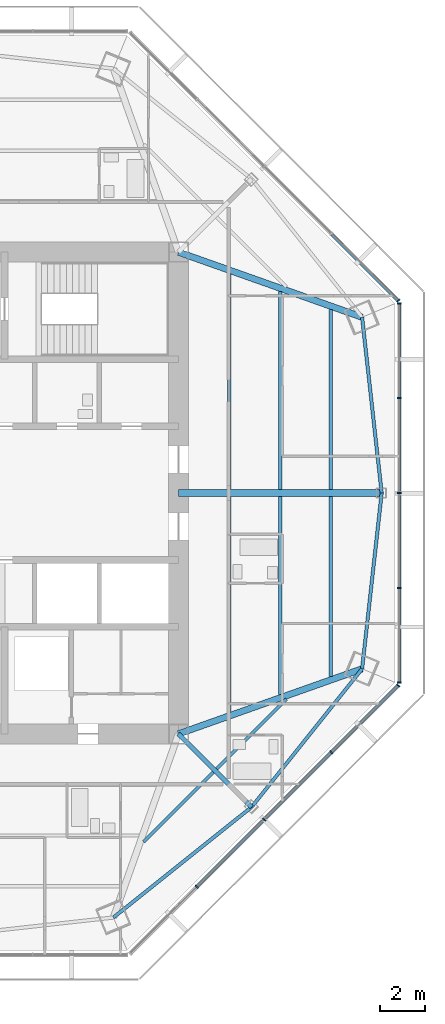
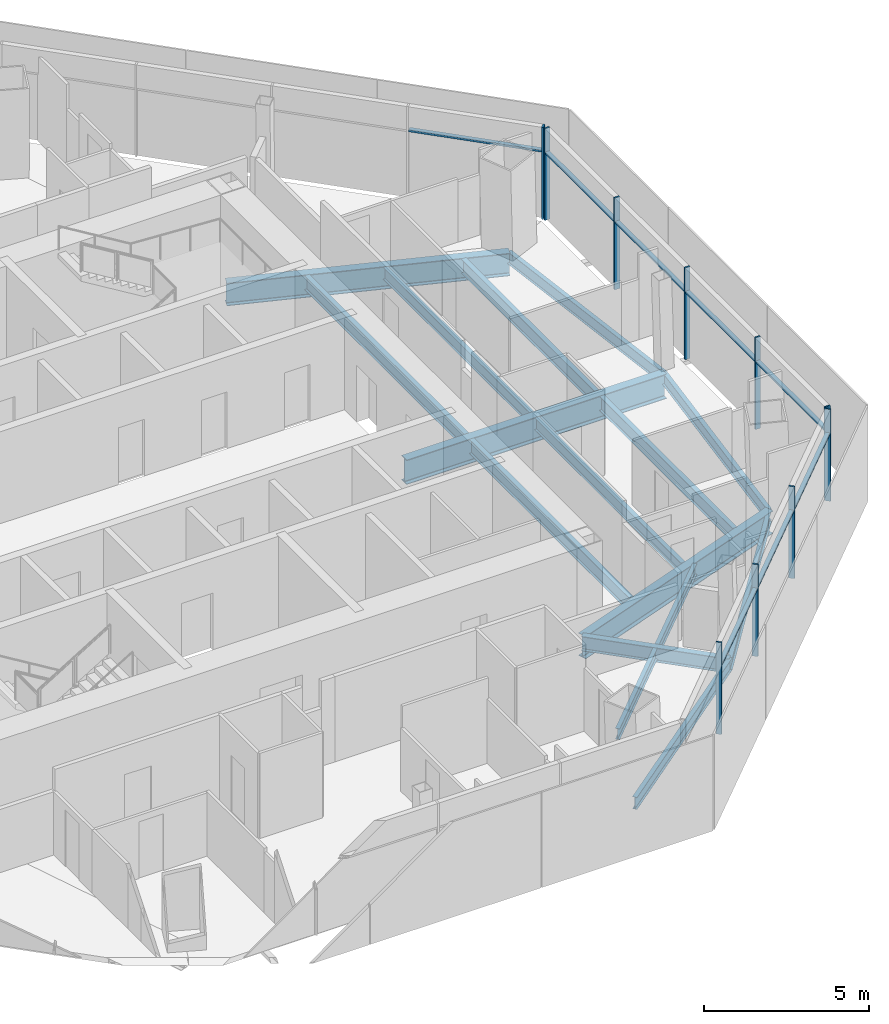
# One storey, part 4 of 15: 18 members, 16 beams, 3 elements without a shape of their own.
"""IFC4 building model written with IfcOpenShell, lengths in metres."""

from ifc_helpers import new_model, si_unit, direction, frame, origin, origin_2d, place, context, subcontext, project, spatial, rectangle, i_section, extrude, source, transform, mapped, material, material_profile, profile_set, type_object, type_shapes, element, aggregate, save


model = new_model("IFC4")

# Units and contexts
model_context = context("Model", 3, precision=1e-05, world=origin(), true_north=direction((0.0, 1.0)))
body_context = subcontext(model_context, "Body", "Model", "MODEL_VIEW")
ifc_project = project(units=[si_unit("LENGTHUNIT", "METRE"), si_unit("AREAUNIT", "SQUARE_METRE"), si_unit("VOLUMEUNIT", "CUBIC_METRE"), si_unit("PLANEANGLEUNIT", "RADIAN"), si_unit("MASSUNIT", "GRAM", prefix="KILO")], contexts=[model_context])

# Site, building, storey
site_placement = place(None, origin())
site = spatial("IfcSite", under=ifc_project, at=site_placement, CompositionType="ELEMENT")
building_placement = place(site_placement, origin())
building = spatial("IfcBuilding", under=site, at=building_placement, Name="Mashrafa Tower", CompositionType="ELEMENT")
storey_placement = place(building_placement, frame((0.0, 0.0, 258.39990234375)))
storey = spatial("IfcBuildingStorey", under=building, at=storey_placement, Name="L62", CompositionType="ELEMENT", Elevation=258.39990234375)

# Beams
ifc_material_1 = material(Name="Steel ASTM A992", Category="steel")
ifc_material_profile_1 = material_profile(ifc_material_1, i_section(OverallWidth=0.140380859375, OverallDepth=0.40380859375, WebThickness=0.007080078125, FlangeThickness=0.01123046875, FilletRadius=0.01025390625, at=origin_2d()), Name="W16X31")
ifc_profile_set_1 = profile_set([ifc_material_profile_1], Name="Steel ASTM A992")
beam_type_1 = type_object("IfcBeamType", Name="Beam W16X31", PredefinedType="BEAM", material=ifc_profile_set_1)
for number, where, z_axis, x_axis, name in (
    (1, (12.365478515625, -12.513427734375, -0.40185546875), (-0.707106781187, -0.707106781187, 0.0), (0.707106781187, -0.707106781187, 0.0), "Floor beam L62 024"),
    (2, (15.637939453125, -9.240966796875, -0.40185546875), (-0.707106781187, -0.707106781187, 0.0), (0.707106781187, -0.707106781187, 0.0), "Floor beam L62 030"),
):
    element("IfcBeam", number, at=place(storey_placement, frame(where, z_axis=z_axis, x_axis=x_axis)), inside=storey, type_object=beam_type_1, Name=name, PredefinedType="BEAM", context=body_context, shape_type="SweptSolid", body=[
        extrude(i_section(OverallWidth=0.140380859375, OverallDepth=0.40380859375, WebThickness=0.007080078125, FlangeThickness=0.01123046875, FilletRadius=0.01025390625, at=origin_2d()), origin(), (0.0, 0.0, 1.0), 4.418701171875),
    ])
ifc_material_2 = material(Name="Steel ASTM A992", Category="steel")
ifc_material_profile_2 = material_profile(ifc_material_2, i_section(OverallWidth=0.15234375, OverallDepth=0.449462890625, WebThickness=0.007568359375, FlangeThickness=0.0107421875, FilletRadius=0.01025390625, at=origin_2d()), Name="W18X35")
ifc_profile_set_2 = profile_set([ifc_material_profile_2], Name="Steel ASTM A992")
beam_type_2 = type_object("IfcBeamType", Name="Beam W18X35", PredefinedType="BEAM", material=ifc_profile_set_2)
for number, where, z_axis, x_axis, name in (
    (3, (15.355224609375, -0.15234375, -0.4248046875), (0.0, -1.0, 0.0), (1.0, 0.0, 0.0), "Floor beam L62 028"),
    (4, (15.355224609375, 9.03125, -0.4248046875), (0.0, -1.0, 0.0), (1.0, 0.0, 0.0), "Floor beam L62 029"),
):
    element("IfcBeam", number, at=place(storey_placement, frame(where, z_axis=z_axis, x_axis=x_axis)), inside=storey, type_object=beam_type_2, Name=name, PredefinedType="BEAM", context=body_context, shape_type="SweptSolid", body=[
        extrude(i_section(OverallWidth=0.15234375, OverallDepth=0.449462890625, WebThickness=0.007568359375, FlangeThickness=0.0107421875, FilletRadius=0.01025390625, at=origin_2d()), origin(), (0.0, 0.0, 1.0), 8.87890625),
    ])
for number, where, z_axis, x_axis, name in (
    (5, (7.883544921875, -19.032470703125, -0.4248046875), (0.781030932395, 0.624492339939, 0.0), (-0.624492339939, 0.781030932395, 0.0), "Spandrel beam L62 058"),
    (6, (14.078857421875, -14.078857421875, -0.4248046875), (0.624492339939, 0.781030932395, 0.0), (-0.781030932395, 0.624492339939, 0.0), "Spandrel beam L62 060"),
):
    element("IfcBeam", number, at=place(storey_placement, frame(where, z_axis=z_axis, x_axis=x_axis)), inside=storey, type_object=beam_type_2, Name=name, PredefinedType="BEAM", context=body_context, shape_type="SweptSolid", body=[
        extrude(i_section(OverallWidth=0.15234375, OverallDepth=0.449462890625, WebThickness=0.007568359375, FlangeThickness=0.0107421875, FilletRadius=0.01025390625, at=origin_2d()), origin(), (0.0, 0.0, 1.0), 7.93212890625),
    ])
for number, where, z_axis, x_axis, name in (
    (7, (19.032470703125, -7.883544921875, -0.4248046875), (0.110708523931, 0.993852918056, 0.0), (-0.993852918056, 0.110708523931, 0.0), "Spandrel beam L62 062"),
    (8, (19.91064453125, 0.0, -0.4248046875), (-0.110708523931, 0.993852918056, 0.0), (-0.993852918056, -0.110708523931, 0.0), "Spandrel beam L62 064"),
):
    element("IfcBeam", number, at=place(storey_placement, frame(where, z_axis=z_axis, x_axis=x_axis)), inside=storey, type_object=beam_type_2, Name=name, PredefinedType="BEAM", context=body_context, shape_type="SweptSolid", body=[
        extrude(i_section(OverallWidth=0.15234375, OverallDepth=0.449462890625, WebThickness=0.007568359375, FlangeThickness=0.0107421875, FilletRadius=0.01025390625, at=origin_2d()), origin(), (0.0, 0.0, 1.0), 7.932373046875),
    ])
ifc_material_3 = material(Name="Steel ASTM A992", Category="steel")
ifc_material_profile_3 = material_profile(ifc_material_3, i_section(OverallWidth=0.165771484375, OverallDepth=0.5283203125, WebThickness=0.009765625, FlangeThickness=0.013671875, FilletRadius=0.012939453125, at=origin_2d()), Name="W21X50")
ifc_profile_set_3 = profile_set([ifc_material_profile_3], Name="Steel ASTM A992")
beam_type_3 = type_object("IfcBeamType", Name="Beam W21X50", PredefinedType="BEAM", material=ifc_profile_set_3)
for number, where, z_axis, x_axis, name in (
    (9, (13.07763671875, -0.15234375, -0.464111328125), (0.0, -1.0, 0.0), (1.0, 0.0, 0.0), "Floor beam L62 026"),
    (10, (13.07763671875, 9.838134765625, -0.464111328125), (0.0, -1.0, 0.0), (1.0, 0.0, 0.0), "Floor beam L62 027"),
):
    element("IfcBeam", number, at=place(storey_placement, frame(where, z_axis=z_axis, x_axis=x_axis)), inside=storey, type_object=beam_type_3, Name=name, PredefinedType="BEAM", context=body_context, shape_type="SweptSolid", body=[
        extrude(i_section(OverallWidth=0.165771484375, OverallDepth=0.5283203125, WebThickness=0.009765625, FlangeThickness=0.013671875, FilletRadius=0.012939453125, at=origin_2d()), origin(), (0.0, 0.0, 1.0), 9.685791015625),
    ])
for number, where, z_axis, x_axis, name in (
    (11, (17.633056640625, -0.15234375, -0.464111328125), (0.0, -1.0, 0.0), (1.0, 0.0, 0.0), "Floor beam L62 031"),
    (12, (17.633056640625, 8.224365234375, -0.464111328125), (0.0, -1.0, 0.0), (1.0, 0.0, 0.0), "Floor beam L62 032"),
):
    element("IfcBeam", number, at=place(storey_placement, frame(where, z_axis=z_axis, x_axis=x_axis)), inside=storey, type_object=beam_type_3, Name=name, PredefinedType="BEAM", context=body_context, shape_type="SweptSolid", body=[
        extrude(i_section(OverallWidth=0.165771484375, OverallDepth=0.5283203125, WebThickness=0.009765625, FlangeThickness=0.013671875, FilletRadius=0.012939453125, at=origin_2d()), origin(), (0.0, 0.0, 1.0), 8.072021484375),
    ])
ifc_material_4 = material(Name="Steel ASTM A992", Category="steel")
ifc_material_profile_4 = material_profile(ifc_material_4, i_section(OverallWidth=0.209228515625, OverallDepth=0.533447265625, WebThickness=0.01025390625, FlangeThickness=0.015625, FilletRadius=0.012939453125, at=origin_2d()), Name="W21X62")
ifc_profile_set_4 = profile_set([ifc_material_profile_4], Name="Steel ASTM A992")
beam_type_4 = type_object("IfcBeamType", Name="Beam W21X62", PredefinedType="BEAM", material=ifc_profile_set_4)
beam_1_placement = place(storey_placement, frame((10.800048828125, -10.800048828125, -0.466552734375), z_axis=(0.707106781187, -0.707106781187, 0.0), x_axis=(0.707106781187, 0.707106781187, 0.0)))
element("IfcBeam", 13, at=beam_1_placement, inside=storey, type_object=beam_type_4, Name="Radial girder L62 043", PredefinedType="BEAM", context=body_context, shape_type="SweptSolid", body=[
    extrude(i_section(OverallWidth=0.209228515625, OverallDepth=0.533447265625, WebThickness=0.01025390625, FlangeThickness=0.015625, FilletRadius=0.012939453125, at=origin_2d()), origin(), (0.0, 0.0, 1.0), 4.636962890625),
])
ifc_material_5 = material(Name="Steel ASTM A992", Category="steel")
ifc_material_profile_5 = material_profile(ifc_material_5, i_section(OverallWidth=0.2919921875, OverallDepth=0.8408203125, WebThickness=0.0146484375, FlangeThickness=0.021728515625, FilletRadius=0.017333984375, at=origin_2d()), Name="W33X130")
ifc_profile_set_5 = profile_set([ifc_material_profile_5], Name="Steel ASTM A992")
beam_type_5 = type_object("IfcBeamType", Name="Beam W33X130", PredefinedType="BEAM", material=ifc_profile_set_5)
for number, where, z_axis, x_axis, name in (
    (14, (10.800048828125, -10.800048828125, -0.620361328125), (0.942596432271, 0.333934074137, 0.0), (-0.333934074137, 0.942596432271, 0.0), "Radial girder L62 044"),
    (15, (10.800048828125, 10.800048828125, -0.620361328125), (0.942596432271, -0.333934074137, 0.0), (0.333934074137, 0.942596432271, 0.0), "Radial girder L62 048"),
):
    element("IfcBeam", number, at=place(storey_placement, frame(where, z_axis=z_axis, x_axis=x_axis)), inside=storey, type_object=beam_type_5, Name=name, PredefinedType="BEAM", context=body_context, shape_type="SweptSolid", body=[
        extrude(i_section(OverallWidth=0.2919921875, OverallDepth=0.8408203125, WebThickness=0.0146484375, FlangeThickness=0.021728515625, FilletRadius=0.017333984375, at=origin_2d()), origin(), (0.0, 0.0, 1.0), 8.73388671875),
    ])
ifc_material_6 = material(Name="Steel ASTM A992", Category="steel")
ifc_material_profile_6 = material_profile(ifc_material_6, i_section(OverallWidth=0.3046875, OverallDepth=0.911865234375, WebThickness=0.015869140625, FlangeThickness=0.02392578125, FilletRadius=0.01904296875, at=origin_2d()), Name="W36X150")
ifc_profile_set_6 = profile_set([ifc_material_profile_6], Name="Steel ASTM A992")
beam_type_6 = type_object("IfcBeamType", Name="Beam W36X150", PredefinedType="BEAM", material=ifc_profile_set_6)
beam_2_placement = place(storey_placement, frame((10.800048828125, 0.0, -0.65576171875), z_axis=(1.0, 0.0, 0.0), x_axis=(0.0, 1.0, 0.0)))
element("IfcBeam", 16, at=beam_2_placement, inside=storey, type_object=beam_type_6, Name="Radial girder L62 045", PredefinedType="BEAM", context=body_context, shape_type="SweptSolid", body=[
    extrude(i_section(OverallWidth=0.3046875, OverallDepth=0.911865234375, WebThickness=0.015869140625, FlangeThickness=0.02392578125, FilletRadius=0.01904296875, at=origin_2d()), origin(), (0.0, 0.0, 1.0), 9.110595703125),
])

# Curtain wall, members
ifc_material_7 = material(Name="Unitised aluminium curtain wall", Category="aluminium")
curtain_wall_type = type_object("IfcCurtainWallType", Name="Apartment curtain wall, zone 3 CW-C 180 deep", PredefinedType="NOTDEFINED", material=ifc_material_7)
curtain_wall_1_placement = place(storey_placement, origin())
curtain_wall_1 = element("IfcCurtainWall", 17, at=curtain_wall_1_placement, inside=storey, type_object=curtain_wall_type, Name="Apartment curtain wall, zone 3 L62 east", PredefinedType="NOTDEFINED")
ifc_material_8 = material(Name="Extruded aluminium mullion", Category="aluminium")
ifc_material_profile_7 = material_profile(ifc_material_8, rectangle(XDim=0.179931640625, YDim=0.06005859375, at=origin_2d()), Name="Mullion 60x180")
ifc_profile_set_7 = profile_set([ifc_material_profile_7], Name="Extruded aluminium mullion")
member_type_1 = type_object("IfcMemberType", Name="Mullion CW-C 60 x 180", PredefinedType="MULLION", material=ifc_profile_set_7)
shared_shape_1 = source(origin(), body_context, "Body", "SweptSolid", [
    extrude(rectangle(XDim=0.179931640625, YDim=0.06005859375, at=origin_2d()), origin(), (0.0, 0.0, 1.0), 3.400146484375),
])
type_shapes(member_type_1, [shared_shape_1])
member_1_placement = place(storey_placement, frame((20.704833984375, -8.4990234375, 0.0), z_axis=(0.0, 0.0, 1.0), x_axis=(-1.0, 0.0, 0.0)))
member_1 = element("IfcMember", 18, at=member_1_placement, type_object=member_type_1, Name="CW-C mullion 1", PredefinedType="MULLION", context=body_context, shape_type="MappedRepresentation", body=[
    mapped(shared_shape_1, transform((0.0, 0.0, 0.0))),
])
member_2_placement = place(storey_placement, frame((20.704833984375, -4.264404296875, 0.0), z_axis=(0.0, 0.0, 1.0), x_axis=(-1.0, 0.0, 0.0)))
member_2 = element("IfcMember", 19, at=member_2_placement, type_object=member_type_1, Name="CW-C mullion 2", PredefinedType="MULLION", context=body_context, shape_type="MappedRepresentation", body=[
    mapped(shared_shape_1, transform((0.0, 0.0, 0.0))),
])
member_3_placement = place(storey_placement, frame((20.704833984375, 0.0, 0.0), z_axis=(0.0, 0.0, 1.0), x_axis=(-1.0, 0.0, 0.0)))
member_3 = element("IfcMember", 20, at=member_3_placement, type_object=member_type_1, Name="CW-C mullion 3", PredefinedType="MULLION", context=body_context, shape_type="MappedRepresentation", body=[
    mapped(shared_shape_1, transform((0.0, 0.0, 0.0))),
])
member_4_placement = place(storey_placement, frame((20.704833984375, 4.264404296875, 0.0), z_axis=(0.0, 0.0, 1.0), x_axis=(-1.0, 0.0, 0.0)))
member_4 = element("IfcMember", 21, at=member_4_placement, type_object=member_type_1, Name="CW-C mullion 4", PredefinedType="MULLION", context=body_context, shape_type="MappedRepresentation", body=[
    mapped(shared_shape_1, transform((0.0, 0.0, 0.0))),
])
member_5_placement = place(storey_placement, frame((20.704833984375, 8.4990234375, 0.0), z_axis=(0.0, 0.0, 1.0), x_axis=(-1.0, 0.0, 0.0)))
member_5 = element("IfcMember", 22, at=member_5_placement, type_object=member_type_1, Name="CW-C mullion 5", PredefinedType="MULLION", context=body_context, shape_type="MappedRepresentation", body=[
    mapped(shared_shape_1, transform((0.0, 0.0, 0.0))),
])

# Curtain wall, member
curtain_wall_2_placement = place(storey_placement, origin())
curtain_wall_2 = element("IfcCurtainWall", 23, at=curtain_wall_2_placement, inside=storey, type_object=curtain_wall_type, Name="Apartment curtain wall, zone 3 L62 north-east", PredefinedType="NOTDEFINED")
member_6_placement = place(storey_placement, frame((20.650390625, 8.630859375, 0.0), z_axis=(0.0, 0.0, 1.0), x_axis=(-0.707106781187, -0.707106781187, 0.0)))
member_6 = element("IfcMember", 24, at=member_6_placement, type_object=member_type_1, Name="CW-C mullion 1", PredefinedType="MULLION", context=body_context, shape_type="MappedRepresentation", body=[
    mapped(shared_shape_1, transform((0.0, 0.0, 0.0))),
])

# Curtain wall, members
curtain_wall_3_placement = place(storey_placement, origin())
curtain_wall_3 = element("IfcCurtainWall", 25, at=curtain_wall_3_placement, inside=storey, type_object=curtain_wall_type, Name="Apartment curtain wall, zone 3 L62 south-east", PredefinedType="NOTDEFINED")
member_7_placement = place(storey_placement, frame((11.625244140625, -17.656005859375, 0.0), z_axis=(0.0, 0.0, 1.0), x_axis=(-0.707106781187, 0.707106781187, 0.0)))
member_7 = element("IfcMember", 26, at=member_7_placement, type_object=member_type_1, Name="CW-C mullion 2", PredefinedType="MULLION", context=body_context, shape_type="MappedRepresentation", body=[
    mapped(shared_shape_1, transform((0.0, 0.0, 0.0))),
])
member_8_placement = place(storey_placement, frame((14.640625, -14.640625, 0.0), z_axis=(0.0, 0.0, 1.0), x_axis=(-0.707106781187, 0.707106781187, 0.0)))
member_8 = element("IfcMember", 27, at=member_8_placement, type_object=member_type_1, Name="CW-C mullion 3", PredefinedType="MULLION", context=body_context, shape_type="MappedRepresentation", body=[
    mapped(shared_shape_1, transform((0.0, 0.0, 0.0))),
])
member_9_placement = place(storey_placement, frame((17.656005859375, -11.625244140625, 0.0), z_axis=(0.0, 0.0, 1.0), x_axis=(-0.707106781187, 0.707106781187, 0.0)))
member_9 = element("IfcMember", 28, at=member_9_placement, type_object=member_type_1, Name="CW-C mullion 4", PredefinedType="MULLION", context=body_context, shape_type="MappedRepresentation", body=[
    mapped(shared_shape_1, transform((0.0, 0.0, 0.0))),
])
member_10_placement = place(storey_placement, frame((20.650390625, -8.630859375, 0.0), z_axis=(0.0, 0.0, 1.0), x_axis=(-0.707106781187, 0.707106781187, 0.0)))
member_10 = element("IfcMember", 29, at=member_10_placement, type_object=member_type_1, Name="CW-C mullion 5", PredefinedType="MULLION", context=body_context, shape_type="MappedRepresentation", body=[
    mapped(shared_shape_1, transform((0.0, 0.0, 0.0))),
])

# Member
ifc_material_9 = material(Name="Extruded aluminium transom", Category="aluminium")
ifc_material_profile_8 = material_profile(ifc_material_9, rectangle(XDim=0.14404296875, YDim=0.074951171875, at=origin_2d()), Name="Transom 75x144")
ifc_profile_set_8 = profile_set([ifc_material_profile_8], Name="Extruded aluminium transom")
member_type_2 = type_object("IfcMemberType", Name="Transom CW-C 75 x 144", PredefinedType="MULLION", material=ifc_profile_set_8)
shared_shape_2 = source(origin(), body_context, "Body", "SweptSolid", [
    extrude(rectangle(XDim=0.14404296875, YDim=0.074951171875, at=origin_2d()), origin(), (0.0, 0.0, 1.0), 4.174560546875),
])
member_11_placement = place(storey_placement, frame((20.704833984375, -8.468994140625, 2.5), z_axis=(0.0, 1.0, 0.0), x_axis=(-1.0, 0.0, 0.0)))
member_11 = element("IfcMember", 30, at=member_11_placement, type_object=member_type_2, Name="CW-C transom 1", PredefinedType="MULLION", context=body_context, shape_type="MappedRepresentation", body=[
    mapped(shared_shape_2, transform((0.0, 0.0, 0.0))),
])

member_12_placement = place(storey_placement, frame((20.704833984375, 4.29443359375, 2.5), z_axis=(0.0, 1.0, 0.0), x_axis=(-1.0, 0.0, 0.0)))
member_12 = element("IfcMember", 31, at=member_12_placement, type_object=member_type_2, Name="CW-C transom 4", PredefinedType="MULLION", context=body_context, shape_type="MappedRepresentation", body=[
    mapped(shared_shape_2, transform((0.0, 0.0, 0.0))),
])

member_13_placement = place(storey_placement, frame((20.629150390625, 8.652099609375, 2.5), z_axis=(-0.707106781187, 0.707106781187, 0.0), x_axis=(-0.707106781187, -0.707106781187, 0.0)))
member_13 = element("IfcMember", 32, at=member_13_placement, type_object=member_type_2, Name="CW-C transom 1", PredefinedType="MULLION", context=body_context, shape_type="MappedRepresentation", body=[
    mapped(shared_shape_2, transform((0.0, 0.0, 0.0))),
])

aggregate(curtain_wall_2, [member_6, member_13])

member_14_placement = place(storey_placement, frame((17.67724609375, -11.60400390625, 2.5), z_axis=(0.707106781187, 0.707106781187, 0.0), x_axis=(-0.707106781187, 0.707106781187, 0.0)))
member_14 = element("IfcMember", 33, at=member_14_placement, type_object=member_type_2, Name="CW-C transom 4", PredefinedType="MULLION", context=body_context, shape_type="MappedRepresentation", body=[
    mapped(shared_shape_2, transform((0.0, 0.0, 0.0))),
])

shared_shape_3 = source(origin(), body_context, "Body", "SweptSolid", [
    extrude(rectangle(XDim=0.14404296875, YDim=0.074951171875, at=origin_2d()), origin(), (0.0, 0.0, 1.0), 4.204345703125),
])
type_shapes(member_type_2, [shared_shape_2, shared_shape_3])
member_15_placement = place(storey_placement, frame((20.704833984375, -4.234375, 2.5), z_axis=(0.0, 1.0, 0.0), x_axis=(-1.0, 0.0, 0.0)))
member_15 = element("IfcMember", 34, at=member_15_placement, type_object=member_type_2, Name="CW-C transom 2", PredefinedType="MULLION", context=body_context, shape_type="MappedRepresentation", body=[
    mapped(shared_shape_3, transform((0.0, 0.0, 0.0))),
])

member_16_placement = place(storey_placement, frame((20.704833984375, 0.030029296875, 2.5), z_axis=(0.0, 1.0, 0.0), x_axis=(-1.0, 0.0, 0.0)))
member_16 = element("IfcMember", 35, at=member_16_placement, type_object=member_type_2, Name="CW-C transom 3", PredefinedType="MULLION", context=body_context, shape_type="MappedRepresentation", body=[
    mapped(shared_shape_3, transform((0.0, 0.0, 0.0))),
])

aggregate(curtain_wall_1, [member_1, member_2, member_3, member_4, member_5, member_11, member_15, member_16, member_12])

member_17_placement = place(storey_placement, frame((11.646484375, -17.634765625, 2.5), z_axis=(0.707106781187, 0.707106781187, 0.0), x_axis=(-0.707106781187, 0.707106781187, 0.0)))
member_17 = element("IfcMember", 36, at=member_17_placement, type_object=member_type_2, Name="CW-C transom 2", PredefinedType="MULLION", context=body_context, shape_type="MappedRepresentation", body=[
    mapped(shared_shape_3, transform((0.0, 0.0, 0.0))),
])

member_18_placement = place(storey_placement, frame((14.661865234375, -14.619384765625, 2.5), z_axis=(0.707106781187, 0.707106781187, 0.0), x_axis=(-0.707106781187, 0.707106781187, 0.0)))
member_18 = element("IfcMember", 37, at=member_18_placement, type_object=member_type_2, Name="CW-C transom 3", PredefinedType="MULLION", context=body_context, shape_type="MappedRepresentation", body=[
    mapped(shared_shape_3, transform((0.0, 0.0, 0.0))),
])

aggregate(curtain_wall_3, [member_7, member_8, member_9, member_10, member_17, member_18, member_14])

save(model, "model.ifc")
